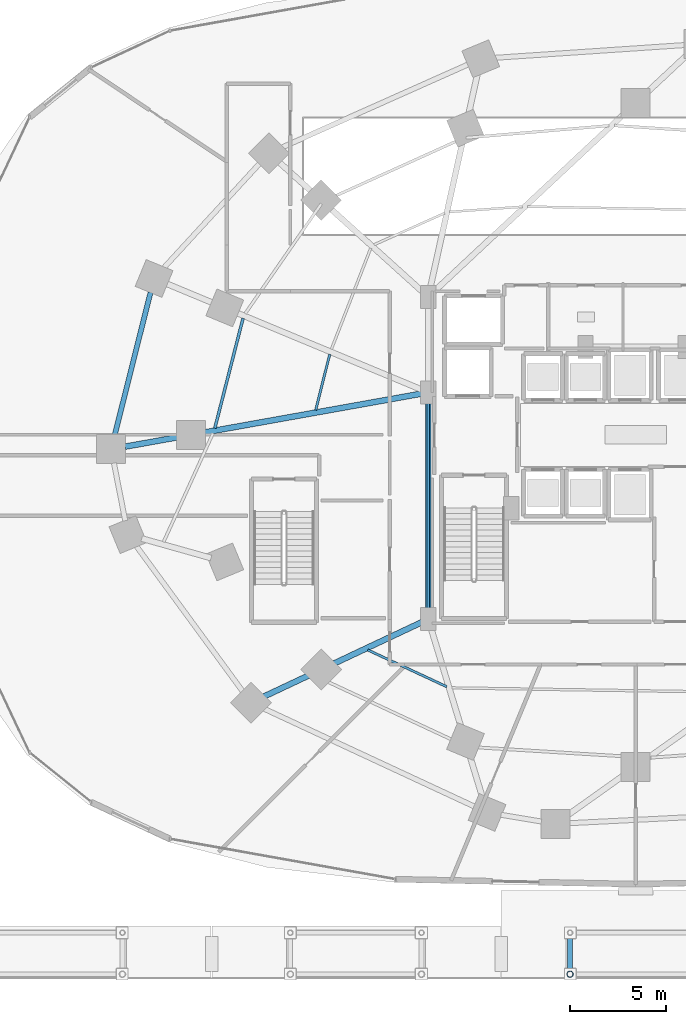
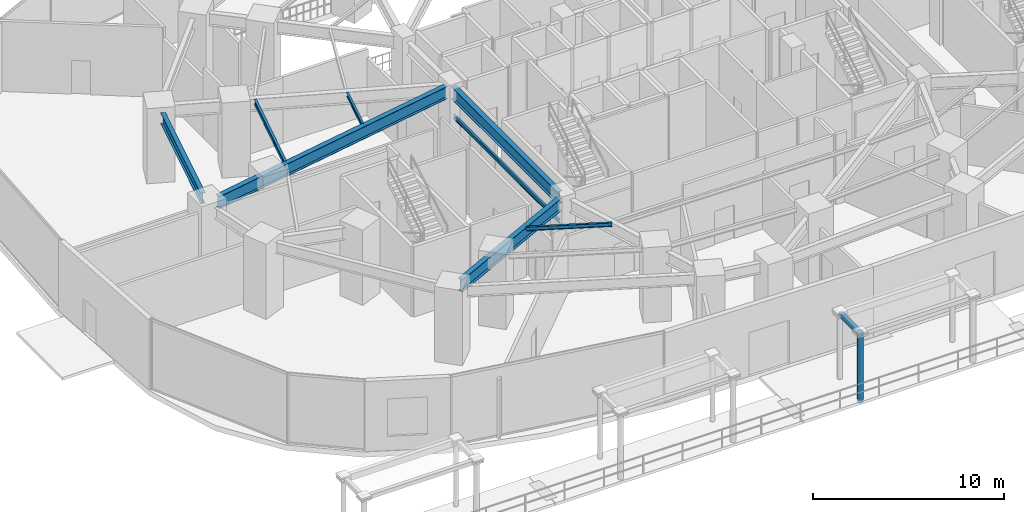
# One storey, part 9 of 36: 8 beams, 2 members.
"""IFC4 building model written with IfcOpenShell, lengths in metres."""

import ifcopenshell
import ifcopenshell.guid

model = None  # the IFC model being written
_history = None  # IfcOwnerHistory: only IFC2X3 demands one
_inside = {}  # id of a spatial element -> (the spatial element, [elements in it])
_under = {}  # id of a project, library or spatial element -> (it, [spatial elements below it])
_declared = {}  # id of a project -> (the project, [libraries it declares])
_typed = {}  # id of a type object -> (the type object, [elements of that type])
_made_of = {}  # id of a material, layer set ... -> (it, [elements and type objects made of it])


def new_model(schema):
    """Start an empty IFC model of exactly this schema.

    Asked for "IFC4X3", IfcOpenShell would pick the latest addendum, in which some entities
    have other attributes; the version numbers below select the first issue.
    IFC2X3 requires an IfcOwnerHistory on every rooted entity: one is made here for all.
    """
    global model, _history
    if schema == "IFC4X3":
        model = ifcopenshell.file(schema_version=(4, 3, 0, 0))
    else:
        model = ifcopenshell.file(schema=schema)
    _inside.clear()
    _under.clear()
    _declared.clear()
    _typed.clear()
    _made_of.clear()
    _history = None
    if model.schema == "IFC2X3":
        org = make("IfcOrganization", Name="unknown")
        user = make(
            "IfcPersonAndOrganization",
            ThePerson=make("IfcPerson", FamilyName="unknown"),
            TheOrganization=org,
        )
        app = make(
            "IfcApplication",
            ApplicationDeveloper=org,
            Version="unknown",
            ApplicationFullName="unknown",
            ApplicationIdentifier="unknown",
        )
        _history = make(
            "IfcOwnerHistory",
            OwningUser=user,
            OwningApplication=app,
            ChangeAction="ADDED",
            CreationDate=0,
        )
    return model


def make(cls, **values):
    """One entity of the class cls with the attributes given. An attribute that is None is left unset."""
    return model.create_entity(
        cls, **{name: value for name, value in values.items() if value is not None}
    )


def rooted(cls, **values):
    """An entity with a GlobalId (a new one), such as an element, a storey or a relation."""
    return make(cls, GlobalId=ifcopenshell.guid.new(), OwnerHistory=_history, **values)


def si_unit(unit_type, name, prefix=None):
    """IfcSIUnit, for example si_unit("LENGTHUNIT", "METRE", prefix="MILLI")."""
    return make("IfcSIUnit", UnitType=unit_type, Prefix=prefix, Name=name)


def assignment(units):
    """IfcUnitAssignment: the units of a project."""
    return None if units is None else make("IfcUnitAssignment", Units=units)


def point(xyz):
    """IfcCartesianPoint."""
    return None if xyz is None else make("IfcCartesianPoint", Coordinates=xyz)


def direction(xyz):
    """IfcDirection."""
    return None if xyz is None else make("IfcDirection", DirectionRatios=xyz)


def frame(location, z_axis=None, x_axis=None):
    """IfcAxis2Placement3D, a coordinate frame: its origin and axes. An axis left out is left unset."""
    return make(
        "IfcAxis2Placement3D",
        Location=point(location),
        Axis=direction(z_axis),
        RefDirection=direction(x_axis),
    )


def frame_2d(location, x_axis=None):
    """IfcAxis2Placement2D, a coordinate frame in the plane: its origin and x axis."""
    return make(
        "IfcAxis2Placement2D", Location=point(location), RefDirection=direction(x_axis)
    )


def origin():
    """The frame at (0, 0, 0) with its axes left unset."""
    return frame((0.0, 0.0, 0.0))


def origin_2d():
    """The frame at (0, 0) in the plane with its x axis left unset."""
    return frame_2d((0.0, 0.0))


def place(relative_to, where):
    """IfcLocalPlacement: puts the frame where relative to a parent placement (None: the world)."""
    return make(
        "IfcLocalPlacement", PlacementRelTo=relative_to, RelativePlacement=where
    )


def context(
    kind, dimensions, precision=None, world=None, true_north=None, identifier=None
):
    """IfcGeometricRepresentationContext, for example the 3D "Model" context."""
    return make(
        "IfcGeometricRepresentationContext",
        ContextIdentifier=identifier,
        ContextType=kind,
        CoordinateSpaceDimension=dimensions,
        Precision=precision,
        WorldCoordinateSystem=world,
        TrueNorth=true_north,
    )


def subcontext(parent, identifier, kind, view, scale=None):
    """IfcGeometricRepresentationSubContext, for example "Body" below "Model"."""
    return make(
        "IfcGeometricRepresentationSubContext",
        ContextIdentifier=identifier,
        ContextType=kind,
        ParentContext=parent,
        TargetScale=scale,
        TargetView=view,
    )


def project(units=None, contexts=None):
    """IfcProject with its units and contexts."""
    return rooted(
        "IfcProject",
        Name="project",
        RepresentationContexts=contexts,
        UnitsInContext=assignment(units),
    )


def spatial(cls, under=None, at=None, **own):
    """A site, building, storey or space (cls), placed at a placement, below another one or the project."""
    s = rooted(cls, ObjectPlacement=at, **own)
    if under is not None:
        _under.setdefault(under.id(), (under, []))[1].append(s)
    return s


def profile(cls, at=None, kind="AREA", **sizes):
    """A parametric profile (cls). Its sizes go by their IFC names, for example OverallWidth=200.0."""
    return make(cls, ProfileType=kind, Position=at, **sizes)


def hollow_rectangle(**sizes):
    """IfcRectangleHollowProfileDef."""
    return profile("IfcRectangleHollowProfileDef", **sizes)


def hollow_circle(**sizes):
    """IfcCircleHollowProfileDef."""
    return profile("IfcCircleHollowProfileDef", **sizes)


def i_section(**sizes):
    """IfcIShapeProfileDef."""
    return profile("IfcIShapeProfileDef", **sizes)


def extrude(swept, where, along, depth):
    """IfcExtrudedAreaSolid: the profile swept, set in the frame where, extruded along a direction by depth."""
    return make(
        "IfcExtrudedAreaSolid",
        SweptArea=swept,
        Position=where,
        ExtrudedDirection=direction(along),
        Depth=depth,
    )


def shape(context_of_items, identifier, shape_type, items):
    """IfcShapeRepresentation: the items that make up one representation, for example the "Body"."""
    return make(
        "IfcShapeRepresentation",
        ContextOfItems=context_of_items,
        RepresentationIdentifier=identifier,
        RepresentationType=shape_type,
        Items=items,
    )


def material(Name=None, Category=None):
    """IfcMaterial."""
    return make("IfcMaterial", Name=Name, Category=Category)


def material_profile(
    of_material, cross_section, Name=None, Category=None, Priority=None
):
    """IfcMaterialProfile: a cross section and its material."""
    return make(
        "IfcMaterialProfile",
        Name=Name,
        Material=of_material,
        Profile=cross_section,
        Priority=Priority,
        Category=Category,
    )


def profile_set(profiles, Name=None, composite=None):
    """IfcMaterialProfileSet."""
    return make(
        "IfcMaterialProfileSet",
        Name=Name,
        MaterialProfiles=profiles,
        CompositeProfile=composite,
    )


def made_of(thing, what):
    """Note that an element or type object is made of a material, layer set ...; save() writes the relation."""
    if what is not None:
        _made_of.setdefault(what.id(), (what, []))[1].append(thing)
    return thing


def type_object(cls, material=None, **own):
    """A type object (cls), such as IfcWallType, which elements share."""
    return made_of(rooted(cls, **own), material)


def element(
    cls,
    number,
    at=None,
    inside=None,
    cuts=None,
    type_object=None,
    material=None,
    context=None,
    identifier="Body",
    shape_type=None,
    held_by="IfcProductDefinitionShape",
    body=None,
    shapes=None,
    **own,
):
    """One element of the class cls, such as IfcWall. Its Tag is "e" and its number.

    at: its placement. inside: the storey or other place that contains it. cuts: it is an
    opening in that element (IfcRelVoidsElement). A single representation is given by context,
    identifier, shape_type and body (its items); several are given by shapes. held_by: the class
    of the entity that holds the representations. save() writes the other relations.
    """
    e = rooted(cls, Tag="e%d" % number, ObjectPlacement=at, **own)
    if body is not None:
        shapes = [shape(context, identifier, shape_type, body)]
    if shapes is not None:
        e.Representation = make(held_by, Representations=shapes)
    if inside is not None:
        _inside.setdefault(inside.id(), (inside, []))[1].append(e)
    if cuts is not None:
        rooted(
            "IfcRelVoidsElement", RelatingBuildingElement=cuts, RelatedOpeningElement=e
        )
    if type_object is not None:
        _typed.setdefault(type_object.id(), (type_object, []))[1].append(e)
    return made_of(e, material)


def aggregate(whole, parts):
    """IfcRelAggregates: a whole, such as a stair, and the parts it consists of."""
    return rooted("IfcRelAggregates", RelatingObject=whole, RelatedObjects=parts)


def save(model, path):
    """Write the relations noted so far, then the file.

    IfcRelAggregates (storeys below a building ...), IfcRelContainedInSpatialStructure (elements
    in a storey), IfcRelDefinesByType, IfcRelAssociatesMaterial and IfcRelDeclares: one each for
    every whole, place, type object, material and project.
    """
    for whole, parts in _under.values():
        aggregate(whole, parts)
    for where, things in _inside.values():
        rooted(
            "IfcRelContainedInSpatialStructure",
            RelatedElements=things,
            RelatingStructure=where,
        )
    for kind, things in _typed.values():
        rooted("IfcRelDefinesByType", RelatedObjects=things, RelatingType=kind)
    for what, things in _made_of.values():
        rooted("IfcRelAssociatesMaterial", RelatedObjects=things, RelatingMaterial=what)
    for by, libraries in _declared.values():
        rooted("IfcRelDeclares", RelatingContext=by, RelatedDefinitions=libraries)
    model.write(path)


model = new_model("IFC4")

# Units and contexts
model_context = context("Model", 3, precision=1e-05, world=origin(), true_north=direction((0.0, 1.0)))
body_context = subcontext(model_context, "Body", "Model", "MODEL_VIEW")
ifc_project = project(units=[si_unit("LENGTHUNIT", "METRE"), si_unit("AREAUNIT", "SQUARE_METRE"), si_unit("VOLUMEUNIT", "CUBIC_METRE"), si_unit("PLANEANGLEUNIT", "RADIAN"), si_unit("MASSUNIT", "GRAM", prefix="KILO")], contexts=[model_context])

# Site, building, storey
site_placement = place(None, origin())
site = spatial("IfcSite", under=ifc_project, at=site_placement, CompositionType="ELEMENT")
building_placement = place(site_placement, origin())
building = spatial("IfcBuilding", under=site, at=building_placement, Name="Vorneva Point Tower", CompositionType="ELEMENT")
storey_placement = place(building_placement, origin())
storey = spatial("IfcBuildingStorey", under=building, at=storey_placement, Name="L00", CompositionType="ELEMENT", Elevation=0.0)

# Beams
ifc_material = material(Name="Steel S355", Category="steel")
ifc_material_profile_1 = material_profile(ifc_material, i_section(OverallWidth=0.300048828125, OverallDepth=0.7880859375, WebThickness=0.014404296875, FlangeThickness=0.02197265625, at=origin_2d()), Name="80Sh1")
ifc_profile_set_1 = profile_set([ifc_material_profile_1], Name="Steel S355")
beam_type_1 = type_object("IfcBeamType", Name="BM-GRD-80Sh1", PredefinedType="USERDEFINED", material=ifc_profile_set_1)
beam_1_placement = place(storey_placement, frame((11.54443359375, 25.390869140625, 4.0859375), z_axis=(0.984377963628, 0.176068238829, 0.0), x_axis=(-0.176068238829, 0.984377963628, 0.0)))
element("IfcBeam", 1, at=beam_1_placement, inside=storey, type_object=beam_type_1, Name="L00 Radial Primary Girder 09", ObjectType="GIRDER", PredefinedType="USERDEFINED", context=body_context, shape_type="SweptSolid", body=[
    extrude(i_section(OverallWidth=0.300048828125, OverallDepth=0.7880859375, WebThickness=0.014404296875, FlangeThickness=0.02197265625, at=origin_2d()), origin(), (0.0, 0.0, 1.0), 15.61474609375),
])
beam_2_placement = place(storey_placement, frame((18.72900390625, 12.4384765625, 4.0859375), z_axis=(0.90475164766, 0.425939498117, 0.0), x_axis=(-0.425939498117, 0.90475164766, 0.0)))
element("IfcBeam", 2, at=beam_2_placement, inside=storey, type_object=beam_type_1, Name="L00 Radial Primary Girder 11", ObjectType="GIRDER", PredefinedType="USERDEFINED", context=body_context, shape_type="SweptSolid", body=[
    extrude(i_section(OverallWidth=0.300048828125, OverallDepth=0.7880859375, WebThickness=0.014404296875, FlangeThickness=0.02197265625, at=origin_2d()), origin(), (0.0, 0.0, 1.0), 9.078125),
])
beam_3_placement = place(storey_placement, frame((27.25, 16.77001953125, 4.0859375), z_axis=(0.0, 1.0, 0.0), x_axis=(-1.0, 0.0, 0.0)))
element("IfcBeam", 3, at=beam_3_placement, inside=storey, type_object=beam_type_1, Name="L00 Core Tie Girder CT1", ObjectType="GIRDER", PredefinedType="USERDEFINED", context=body_context, shape_type="SweptSolid", body=[
    extrude(i_section(OverallWidth=0.300048828125, OverallDepth=0.7880859375, WebThickness=0.014404296875, FlangeThickness=0.02197265625, at=origin_2d()), origin(), (0.0, 0.0, 1.0), 11.10986328125),
])
ifc_material_profile_2 = material_profile(ifc_material, i_section(OverallWidth=0.1240234375, OverallDepth=0.248046875, WebThickness=0.0048828125, FlangeThickness=0.008056640625, at=origin_2d()), Name="25B1")
ifc_profile_set_2 = profile_set([ifc_material_profile_2], Name="Steel S355")
beam_type_2 = type_object("IfcBeamType", Name="BM-JST-25B1", PredefinedType="JOIST", material=ifc_profile_set_2)
beam_4_placement = place(storey_placement, frame((22.144775390625, 30.173583984375, 4.35595703125), z_axis=(-0.244713284308, -0.969595487037, 0.0), x_axis=(0.969595487037, -0.244713284308, 0.0)))
element("IfcBeam", 4, at=beam_4_placement, inside=storey, type_object=beam_type_2, Name="L00 Secondary Floor Beam 2.08", PredefinedType="JOIST", context=body_context, shape_type="SweptSolid", body=[
    extrude(i_section(OverallWidth=0.1240234375, OverallDepth=0.248046875, WebThickness=0.0048828125, FlangeThickness=0.008056640625, at=origin_2d()), origin(), (0.0, 0.0, 1.0), 2.97998046875),
])
beam_5_placement = place(storey_placement, frame((24.110595703125, 14.85498046875, 4.35595703125), z_axis=(0.906691801688, -0.421793760921, 0.0), x_axis=(0.421793760921, 0.906691801688, 0.0)))
element("IfcBeam", 5, at=beam_5_placement, inside=storey, type_object=beam_type_2, Name="L00 Secondary Floor Beam 2.11", PredefinedType="JOIST", context=body_context, shape_type="SweptSolid", body=[
    extrude(i_section(OverallWidth=0.1240234375, OverallDepth=0.248046875, WebThickness=0.0048828125, FlangeThickness=0.008056640625, at=origin_2d()), origin(), (0.0, 0.0, 1.0), 4.518798828125),
])
ifc_material_profile_3 = material_profile(ifc_material, i_section(OverallWidth=0.14892578125, OverallDepth=0.298095703125, WebThickness=0.005615234375, FlangeThickness=0.008056640625, at=origin_2d()), Name="30B1")
ifc_profile_set_3 = profile_set([ifc_material_profile_3], Name="Steel S355")
beam_type_3 = type_object("IfcBeamType", Name="BM-JST-30B1", PredefinedType="JOIST", material=ifc_profile_set_3)
beam_6_placement = place(storey_placement, frame((17.65087890625, 32.041015625, 4.3310546875), z_axis=(-0.248621244995, -0.96860078285, 0.0), x_axis=(0.96860078285, -0.248621244995, 0.0)))
element("IfcBeam", 6, at=beam_6_placement, inside=storey, type_object=beam_type_3, Name="L00 Secondary Floor Beam 1.08", PredefinedType="JOIST", context=body_context, shape_type="SweptSolid", body=[
    extrude(i_section(OverallWidth=0.14892578125, OverallDepth=0.298095703125, WebThickness=0.005615234375, FlangeThickness=0.008056640625, at=origin_2d()), origin(), (0.0, 0.0, 1.0), 5.876220703125),
])
ifc_material_profile_4 = material_profile(ifc_material, i_section(OverallWidth=0.1240234375, OverallDepth=0.248046875, WebThickness=0.0048828125, FlangeThickness=0.008056640625, at=origin_2d()), Name="25B1")
ifc_profile_set_4 = profile_set([ifc_material_profile_4], Name="Steel S355")
beam_type_4 = type_object("IfcBeamType", Name="BM-LNT-25B1", PredefinedType="LINTEL", material=ifc_profile_set_4)
beam_7_placement = place(storey_placement, frame((27.25, 16.7900390625, 2.550048828125), z_axis=(0.0, 1.0, 0.0), x_axis=(-1.0, 0.0, 0.0)))
element("IfcBeam", 7, at=beam_7_placement, inside=storey, type_object=beam_type_4, Name="L00 Core Opening Lintel Beam W", PredefinedType="LINTEL", context=body_context, shape_type="SweptSolid", body=[
    extrude(i_section(OverallWidth=0.1240234375, OverallDepth=0.248046875, WebThickness=0.0048828125, FlangeThickness=0.008056640625, at=origin_2d()), origin(), (0.0, 0.0, 1.0), 11.070068359375),
])
ifc_material_profile_5 = material_profile(ifc_material, i_section(OverallWidth=0.260009765625, OverallDepth=0.69091796875, WebThickness=0.011962890625, FlangeThickness=0.015380859375, at=origin_2d()), Name="70B1")
ifc_profile_set_5 = profile_set([ifc_material_profile_5], Name="Steel S355")
beam_type_5 = type_object("IfcBeamType", Name="BM-SPN-70B1", PredefinedType="SPANDREL", material=ifc_profile_set_5)
beam_8_placement = place(storey_placement, frame((12.860107421875, 33.392578125, 4.134521484375), z_axis=(-0.243594390695, -0.969877194712, 0.0), x_axis=(0.969877194712, -0.243594390695, 0.0)))
element("IfcBeam", 8, at=beam_8_placement, inside=storey, type_object=beam_type_5, Name="L00 Perimeter Spandrel Ring Beam 08", PredefinedType="SPANDREL", context=body_context, shape_type="SweptSolid", body=[
    extrude(i_section(OverallWidth=0.260009765625, OverallDepth=0.69091796875, WebThickness=0.011962890625, FlangeThickness=0.015380859375, at=origin_2d()), origin(), (0.0, 0.0, 1.0), 7.649169921875),
])

# Members
ifc_material_profile_6 = material_profile(ifc_material, hollow_circle(Radius=0.16259765625, WallThickness=0.013916015625, at=origin_2d()), Name="CHS 325x14")
ifc_profile_set_6 = profile_set([ifc_material_profile_6], Name="Steel S355")
member_type_1 = type_object("IfcMemberType", Name="MBR-CAN-CHS325", PredefinedType="BRACE", material=ifc_profile_set_6)
member_1_placement = place(storey_placement, frame((34.60009765625, -1.949951171875, -0.179931640625), z_axis=(0.0, 0.0, 1.0), x_axis=(1.0, 0.0, 0.0)))
element("IfcMember", 9, at=member_1_placement, inside=storey, type_object=member_type_1, Name="Waterfront Promenade Canopy CAN-03 Post 1", PredefinedType="BRACE", context=body_context, shape_type="SweptSolid", body=[
    extrude(hollow_circle(Radius=0.16259765625, WallThickness=0.013916015625, at=origin_2d()), origin(), (0.0, 0.0, 1.0), 4.489990234375),
])
ifc_material_profile_7 = material_profile(ifc_material, hollow_rectangle(XDim=0.25, YDim=0.25, WallThickness=0.011962890625, at=origin_2d()), Name="PK 250x250x12")
ifc_profile_set_7 = profile_set([ifc_material_profile_7], Name="Steel S355")
member_type_2 = type_object("IfcMemberType", Name="MBR-STR-PK250", PredefinedType="STRUT", material=ifc_profile_set_7)
member_2_placement = place(storey_placement, frame((34.60009765625, 0.139892578125, 4.179931640625), z_axis=(0.0, -1.0, 0.0), x_axis=(1.0, 0.0, 0.0)))
element("IfcMember", 10, at=member_2_placement, inside=storey, type_object=member_type_2, Name="Waterfront Promenade Canopy CAN-03 Tie 4", PredefinedType="STRUT", context=body_context, shape_type="SweptSolid", body=[
    extrude(hollow_rectangle(XDim=0.25, YDim=0.25, WallThickness=0.011962890625, at=origin_2d()), origin(), (0.0, 0.0, 1.0), 2.02978515625),
])

save(model, "model.ifc")
